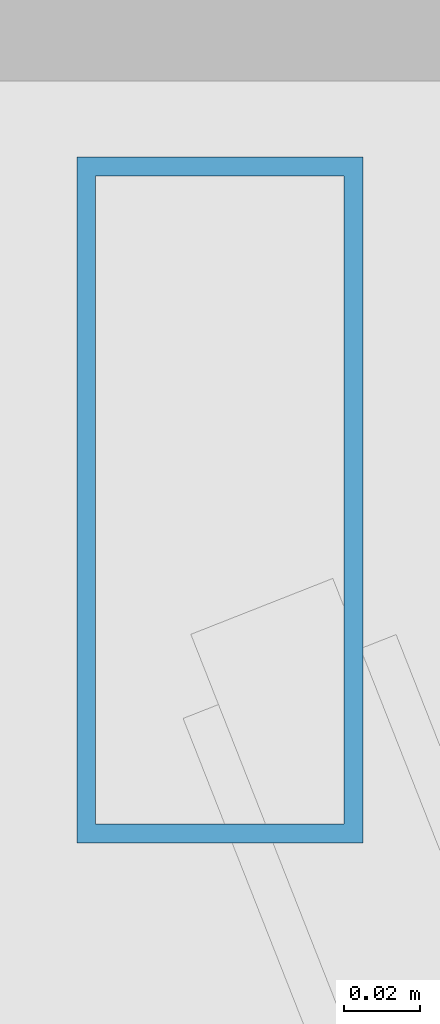
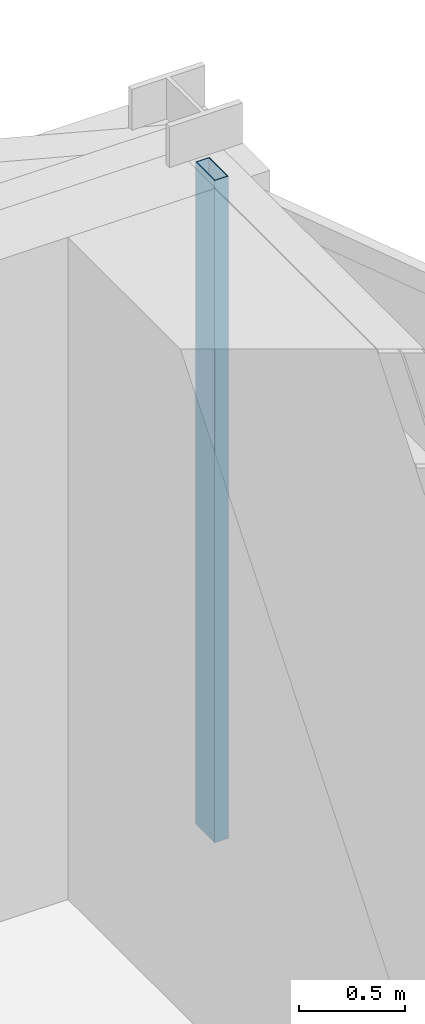
# One storey, part 17 of 25: 1 member, 1 element without a shape of its own.
"""IFC4 building model written with IfcOpenShell, lengths in metres."""

from ifc_helpers import new_model, si_unit, direction, frame, origin, origin_2d, place, context, subcontext, project, spatial, hollow_rectangle, extrude, material, layer, layer_set, material_profile, profile_set, type_object, element, aggregate, save


model = new_model("IFC4")

# Units and contexts
model_context = context("Model", 3, precision=1e-05, world=origin(), true_north=direction((0.0, 1.0)))
body_context = subcontext(model_context, "Body", "Model", "MODEL_VIEW")
ifc_project = project(units=[si_unit("LENGTHUNIT", "METRE"), si_unit("AREAUNIT", "SQUARE_METRE"), si_unit("VOLUMEUNIT", "CUBIC_METRE"), si_unit("PLANEANGLEUNIT", "RADIAN"), si_unit("MASSUNIT", "GRAM", prefix="KILO")], contexts=[model_context])

# Site, building, storey
site_placement = place(None, origin())
site = spatial("IfcSite", under=ifc_project, at=site_placement, CompositionType="ELEMENT")
building_placement = place(site_placement, origin())
building = spatial("IfcBuilding", under=site, at=building_placement, Name="Veymaron Broadcast Tower", CompositionType="ELEMENT")
storey_placement = place(building_placement, frame((0.0, 0.0, 149.25)))
storey = spatial("IfcBuildingStorey", under=building, at=storey_placement, Name="L34", CompositionType="ELEMENT", Elevation=149.25)

# Curtain wall, member
ifc_material_1 = material(Name="Anodised aluminium AA 6063-T6 and laminated low-E dark glass", Category="aluminium")
ifc_layer = layer(ifc_material_1, 0.179931640625)
ifc_layer_set = layer_set([ifc_layer], Name="Anodised aluminium AA 6063-T6 and laminated low-E dark glass")
curtain_wall_type = type_object("IfcCurtainWallType", Name="CW-SYS-03", PredefinedType="NOTDEFINED", material=ifc_layer_set)
curtain_wall_placement = place(storey_placement, origin())
curtain_wall = element("IfcCurtainWall", 1, at=curtain_wall_placement, inside=storey, type_object=curtain_wall_type, Name="L34 dark-glass curtain wall CW-L34-E3-1", PredefinedType="NOTDEFINED")
ifc_material_2 = material(Name="Anodised aluminium AA 6063-T6", Category="aluminium")
ifc_material_profile = material_profile(ifc_material_2, hollow_rectangle(XDim=0.074951171875, YDim=0.179931640625, WallThickness=0.0048828125, at=origin_2d()), Name="AL180X75X5")
ifc_profile_set = profile_set([ifc_material_profile], Name="Anodised aluminium AA 6063-T6")
member_type = type_object("IfcMemberType", Name="CW-MUL-02", PredefinedType="MULLION", material=ifc_profile_set)
member_placement = place(storey_placement, frame((54.569091796875, 31.696533203125, 0.0), z_axis=(0.0, 0.0, 1.0), x_axis=(1.0, 0.0, 0.0)))
member = element("IfcMember", 2, at=member_placement, type_object=member_type, Name="CW-L34-E3-1 mullion 2", PredefinedType="MULLION", context=body_context, shape_type="SweptSolid", body=[
    extrude(hollow_rectangle(XDim=0.074951171875, YDim=0.179931640625, WallThickness=0.0048828125, at=origin_2d()), origin(), (0.0, 0.0, 1.0), 3.81005859375),
])
aggregate(curtain_wall, [member])

save(model, "model.ifc")
